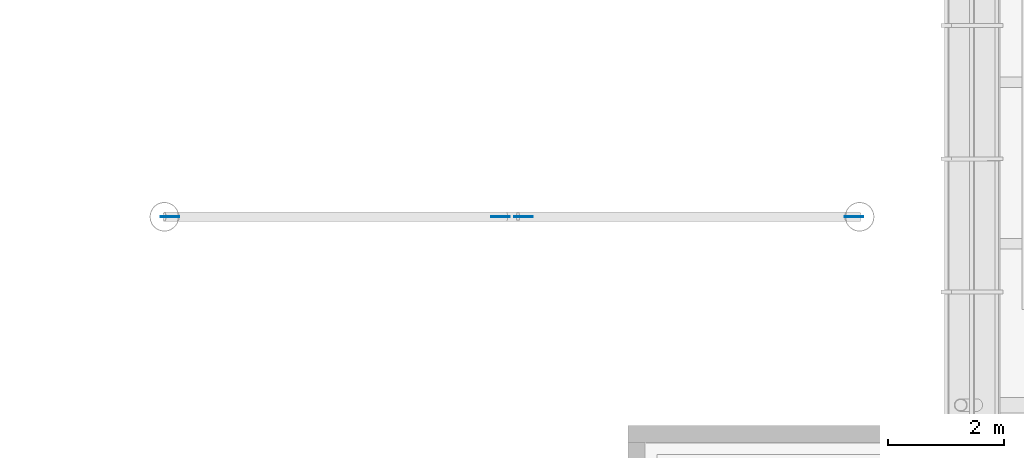
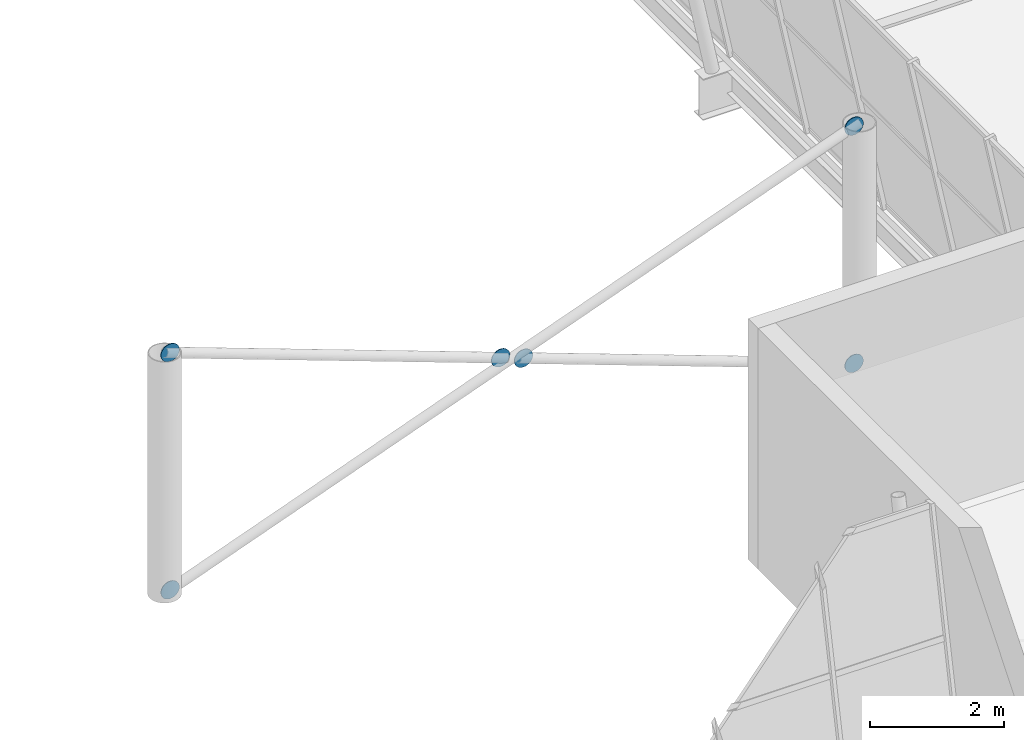
# One storey, part 42 of 58: 6 discrete accessories.
"""IFC4 building model written with IfcOpenShell, lengths in metres."""

from ifc_helpers import new_model, si_unit, direction, frame, origin, origin_2d, place, context, subcontext, project, spatial, circle, extrude, material, layer, layer_set, type_object, element, save


model = new_model("IFC4")

# Units and contexts
model_context = context("Model", 3, precision=1e-05, world=origin(), true_north=direction((0.0, 1.0)))
body_context = subcontext(model_context, "Body", "Model", "MODEL_VIEW")
ifc_project = project(units=[si_unit("LENGTHUNIT", "METRE"), si_unit("AREAUNIT", "SQUARE_METRE"), si_unit("VOLUMEUNIT", "CUBIC_METRE"), si_unit("PLANEANGLEUNIT", "RADIAN"), si_unit("MASSUNIT", "GRAM", prefix="KILO")], contexts=[model_context])

# Site, building, storey
site_placement = place(None, origin())
site = spatial("IfcSite", under=ifc_project, at=site_placement, CompositionType="ELEMENT")
building_placement = place(site_placement, origin())
building = spatial("IfcBuilding", under=site, at=building_placement, Name="Windward Yard Aquatics Centre", CompositionType="ELEMENT")
storey_placement = place(building_placement, frame((0.0, 0.0, 13.800048828125)))
storey = spatial("IfcBuildingStorey", under=building, at=storey_placement, Name="L03", CompositionType="ELEMENT", Elevation=13.800048828125)

# Discrete accessories
ifc_material = material(Name="Steel S355", Category="steel")
ifc_layer = layer(ifc_material, 0.011962890625)
ifc_layer_set = layer_set([ifc_layer], Name="Gusset plate 320 mm disc 12 mm")
discrete_accessory_type = type_object("IfcDiscreteAccessoryType", Name="Gusset plate 320 mm disc 12 mm", PredefinedType="USERDEFINED", material=ifc_layer_set)
for number, where, z_axis, x_axis, name in (
    (1, (132.093994140625, 41.593994140625, 0.034423828125), (0.0, 1.0, 0.0), (-1.0, 0.0, 0.0), "Gusset plate"),
    (2, (143.906005859375, 41.593994140625, 4.365478515625), (0.0, 1.0, 0.0), (-1.0, 0.0, 0.0), "Gusset plate"),
    (3, (132.093994140625, 41.593994140625, 4.365478515625), (0.0, 1.0, 0.0), (-1.0, 0.0, 0.0), "Gusset plate"),
    (4, (137.802734375, 41.593994140625, 2.272216796875), (0.0, 1.0, 0.0), (-1.0, 0.0, 0.0), "Gusset plate"),
    (5, (138.197265625, 41.593994140625, 2.127685546875), (0.0, 1.0, 0.0), (-1.0, 0.0, 0.0), "Gusset plate"),
    (6, (143.906005859375, 41.593994140625, 0.034423828125), (0.0, 1.0, 0.0), (-1.0, 0.0, 0.0), "Gusset plate"),
):
    element("IfcDiscreteAccessory", number, at=place(storey_placement, frame(where, z_axis=z_axis, x_axis=x_axis)), inside=storey, type_object=discrete_accessory_type, Name=name, ObjectType="GUSSET PLATE", PredefinedType="USERDEFINED", context=body_context, shape_type="SweptSolid", body=[
        extrude(circle(Radius=0.159912109375, at=origin_2d()), origin(), (0.0, 0.0, 1.0), 0.011962890625),
    ])

save(model, "model.ifc")
